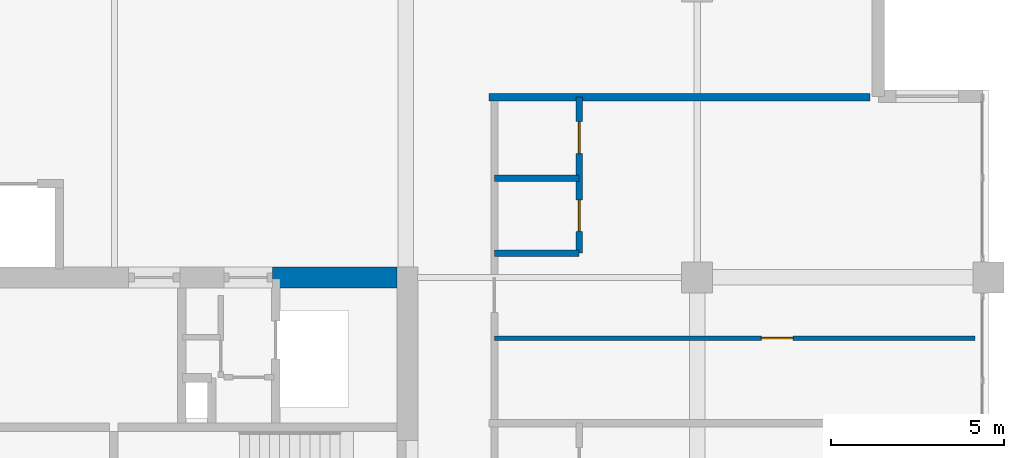
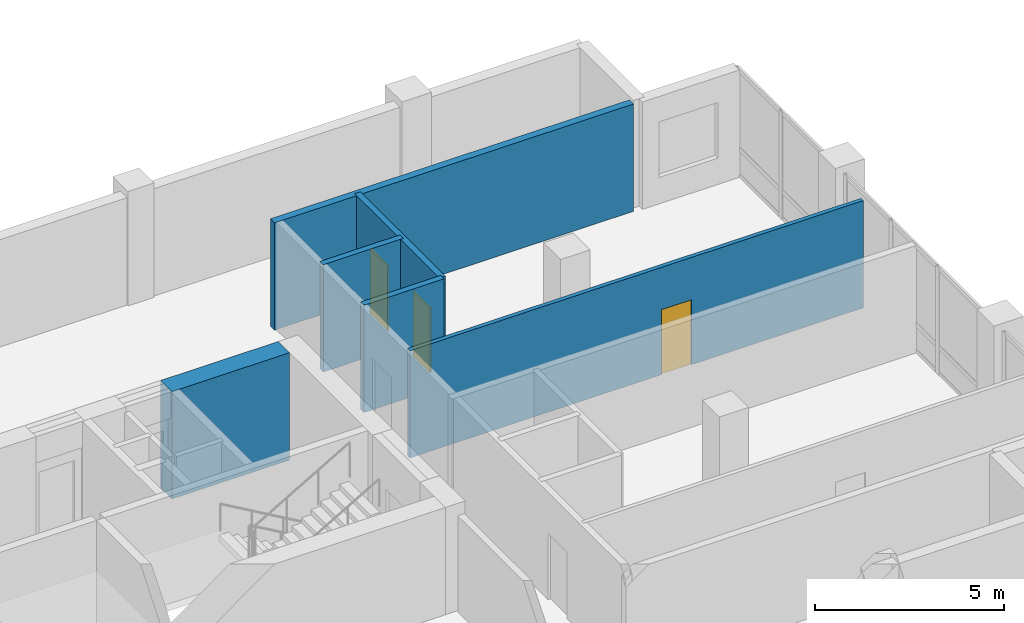
# One storey, part 8 of 16: 6 walls, 3 doors, 3 openings.
"""IFC4 building model written with IfcOpenShell, lengths in metres."""

from ifc_helpers import new_model, si_unit, direction, frame, frame_2d, origin, place, context, subcontext, project, spatial, rectangle, extrude, material, layer, layer_set, type_object, element, fill, save


model = new_model("IFC4")

# Units and contexts
model_context = context("Model", 3, precision=1e-05, world=origin(), true_north=direction((0.0, 1.0)))
body_context = subcontext(model_context, "Body", "Model", "MODEL_VIEW")
ifc_project = project(units=[si_unit("LENGTHUNIT", "METRE"), si_unit("AREAUNIT", "SQUARE_METRE"), si_unit("VOLUMEUNIT", "CUBIC_METRE"), si_unit("PLANEANGLEUNIT", "RADIAN"), si_unit("MASSUNIT", "GRAM", prefix="KILO")], contexts=[model_context])

# Site, building, storey
site_placement = place(None, origin())
site = spatial("IfcSite", under=ifc_project, at=site_placement, CompositionType="ELEMENT")
building_placement = place(site_placement, origin())
building = spatial("IfcBuilding", under=site, at=building_placement, Name="Koriwani Terraces Tower", CompositionType="ELEMENT")
storey_placement = place(building_placement, frame((0.0, 0.0, 274.89990234375)))
storey = spatial("IfcBuildingStorey", under=building, at=storey_placement, Name="L68", CompositionType="ELEMENT", Elevation=274.89990234375)

# Walls
ifc_material_1 = material(Name="Concrete C60/75", Category="concrete")
ifc_layer_1 = layer(ifc_material_1, 0.60009765625, Name="Concrete C60/75")
ifc_layer_set_1 = layer_set([ifc_layer_1], Name="Concrete C60/75")
wall_type_1 = type_object("IfcWallType", Name="WALL_CORE_RC_600", PredefinedType="SHEAR", material=ifc_layer_set_1)
wall_1_placement = place(storey_placement, frame((54.949951171875, 25.199951171875, 0.0), z_axis=(0.0, 0.0, 1.0), x_axis=(1.0, 0.0, 0.0)))
element("IfcWall", 1, at=wall_1_placement, inside=storey, type_object=wall_type_1, Name="L68 East Split Core Shear Wall N3", PredefinedType="SHEAR", context=body_context, shape_type="SweptSolid", body=[
    extrude(rectangle(XDim=3.60009765625, YDim=0.60009765625, at=frame_2d((1.800048828125, 0.0))), origin(), (0.0, 0.0, 1.0), 3.47021484375),
])
ifc_material_2 = material(Name="Autoclaved Cellular Concrete Blockwork", Category="masonry")
ifc_layer_2 = layer(ifc_material_2, 0.219970703125, Name="Autoclaved Cellular Concrete Blockwork")
ifc_layer_set_2 = layer_set([ifc_layer_2], Name="Autoclaved Cellular Concrete Blockwork")
wall_type_2 = type_object("IfcWallType", Name="WALL_DEMISING_220", PredefinedType="PARTITIONING", material=ifc_layer_set_2)
wall_2_placement = place(storey_placement, frame((61.199951171875, 30.39990234375, 0.0), z_axis=(0.0, 0.0, 1.0), x_axis=(1.0, 0.0, 0.0)))
element("IfcWall", 2, at=wall_2_placement, inside=storey, type_object=wall_type_2, Name="L68 Interior Wall WRDEME-L68-ETE", PredefinedType="PARTITIONING", context=body_context, shape_type="SweptSolid", body=[
    extrude(rectangle(XDim=10.97998046875, YDim=0.219970703125, at=frame_2d((5.489990234375, 0.0))), origin(), (0.0, 0.0, 1.0), 3.47021484375),
])

# Wall, opening, door
ifc_material_3 = material(Name="Fire-Rated Acoustic Gypsum Partition", Category="masonry")
ifc_layer_3 = layer(ifc_material_3, 0.125, Name="Fire-Rated Acoustic Gypsum Partition")
ifc_layer_set_3 = layer_set([ifc_layer_3], Name="Fire-Rated Acoustic Gypsum Partition")
wall_type_3 = type_object("IfcWallType", Name="WALL_INT_125", PredefinedType="PARTITIONING", material=ifc_layer_set_3)
wall_3_placement = place(storey_placement, frame((61.35009765625, 23.449951171875, 0.0), z_axis=(0.0, 0.0, 1.0), x_axis=(1.0, 0.0, 0.0)))
wall_3 = element("IfcWall", 3, at=wall_3_placement, inside=storey, type_object=wall_type_3, Name="L68 Interior Wall WRBED1-L68-ETE-1", PredefinedType="PARTITIONING", context=body_context, shape_type="SweptSolid", body=[
    extrude(rectangle(XDim=13.869873046875, YDim=0.125, at=frame_2d((6.93505859375, 0.0))), origin(), (0.0, 0.0, 1.0), 3.47021484375),
])
opening_1_placement = place(wall_3_placement, frame((7.699951171875, 0.0, 0.0)))
opening_1 = element("IfcOpeningElement", 4, at=opening_1_placement, cuts=wall_3, Name="Opening D-06", PredefinedType="OPENING", context=body_context, shape_type="SweptSolid", body=[
    extrude(rectangle(XDim=0.919921875, YDim=2.10009765625, at=frame_2d((0.4599609375, 1.050048828125))), frame((0.0, 0.072509765625, 0.0), z_axis=(0.0, -1.0, 0.0), x_axis=(1.0, 0.0, 0.0)), (0.0, 0.0, 1.0), 0.14501953125),
])
ifc_material_4 = material(Name="Architectural Oak Fire Door", Category="wood")
door_type_1 = type_object("IfcDoorType", Name="DOOR_ROOM_INT_920X2100", OperationType="NOTDEFINED", PredefinedType="DOOR", material=ifc_material_4)
door_1_placement = place(opening_1_placement, origin())
door_1 = element("IfcDoor", 5, at=door_1_placement, inside=storey, type_object=door_type_1, Name="Apartment 68ETE2 Master Bedroom Door", OperationType="SINGLE_SWING_LEFT", OverallHeight=2.10009765625, OverallWidth=0.919921875, PredefinedType="DOOR", context=body_context, shape_type="SweptSolid", body=[
    extrude(rectangle(XDim=0.919921875, YDim=2.10009765625, at=frame_2d((0.4599609375, 1.050048828125))), frame((0.0, 0.02490234375, 0.0), z_axis=(0.0, -1.0, 0.0), x_axis=(1.0, 0.0, 0.0)), (0.0, 0.0, 1.0), 0.050048828125),
])
fill(opening_1, door_1)

# Wall, openings, doors
ifc_layer_4 = layer(ifc_material_3, 0.179931640625, Name="Fire-Rated Acoustic Gypsum Partition")
ifc_layer_set_4 = layer_set([ifc_layer_4], Name="Fire-Rated Acoustic Gypsum Partition")
wall_type_4 = type_object("IfcWallType", Name="WALL_PLUMBING_180", PredefinedType="PLUMBINGWALL", material=ifc_layer_set_4)
wall_4_placement = place(storey_placement, frame((63.800048828125, 25.89990234375, 0.0), z_axis=(0.0, 0.0, 1.0), x_axis=(0.0, 1.0, 0.0)))
wall_4 = element("IfcWall", 6, at=wall_4_placement, inside=storey, type_object=wall_type_4, Name="L68 Interior Wall WRSVC-L68-ETE-1", PredefinedType="PLUMBINGWALL", context=body_context, shape_type="SweptSolid", body=[
    extrude(rectangle(XDim=4.5, YDim=0.179931640625, at=frame_2d((2.25, 0.0))), origin(), (0.0, 0.0, 1.0), 3.47021484375),
])
opening_2_placement = place(wall_4_placement, frame((0.6298828125, 0.0, 0.0)))
opening_2 = element("IfcOpeningElement", 7, at=opening_2_placement, cuts=wall_4, Name="Opening D-07", PredefinedType="OPENING", context=body_context, shape_type="SweptSolid", body=[
    extrude(rectangle(XDim=0.89990234375, YDim=2.10009765625, at=frame_2d((0.449951171875, 1.050048828125))), frame((0.0, 0.10009765625, 0.0), z_axis=(0.0, -1.0, 0.0), x_axis=(1.0, 0.0, 0.0)), (0.0, 0.0, 1.0), 0.199951171875),
])
opening_3_placement = place(wall_4_placement, frame((2.8701171875, 0.0, 0.0)))
opening_3 = element("IfcOpeningElement", 8, at=opening_3_placement, cuts=wall_4, Name="Opening D-06", PredefinedType="OPENING", context=body_context, shape_type="SweptSolid", body=[
    extrude(rectangle(XDim=0.919921875, YDim=2.10009765625, at=frame_2d((0.4599609375, 1.050048828125))), frame((0.0, 0.10009765625, 0.0), z_axis=(0.0, -1.0, 0.0), x_axis=(1.0, 0.0, 0.0)), (0.0, 0.0, 1.0), 0.199951171875),
])
door_type_2 = type_object("IfcDoorType", Name="DOOR_BATH_INT_900X2100", OperationType="NOTDEFINED", PredefinedType="DOOR", material=ifc_material_4)
door_2_placement = place(opening_2_placement, origin())
door_2 = element("IfcDoor", 9, at=door_2_placement, inside=storey, type_object=door_type_2, Name="Apartment 68ETE2 Bathroom Door", OperationType="SINGLE_SWING_LEFT", OverallHeight=2.10009765625, OverallWidth=0.89990234375, PredefinedType="DOOR", context=body_context, shape_type="SweptSolid", body=[
    extrude(rectangle(XDim=0.89990234375, YDim=2.10009765625, at=frame_2d((0.449951171875, 1.050048828125))), frame((0.0, 0.02490234375, 0.0), z_axis=(0.0, -1.0, 0.0), x_axis=(1.0, 0.0, 0.0)), (0.0, 0.0, 1.0), 0.050048828125),
])
fill(opening_2, door_2)
door_3_placement = place(opening_3_placement, origin())
door_3 = element("IfcDoor", 10, at=door_3_placement, inside=storey, type_object=door_type_1, Name="Apartment 68ETE2 Kitchen Door", OperationType="SINGLE_SWING_RIGHT", OverallHeight=2.10009765625, OverallWidth=0.919921875, PredefinedType="DOOR", context=body_context, shape_type="SweptSolid", body=[
    extrude(rectangle(XDim=0.919921875, YDim=2.10009765625, at=frame_2d((0.4599609375, 1.050048828125))), frame((0.0, 0.02490234375, 0.0), z_axis=(0.0, -1.0, 0.0), x_axis=(1.0, 0.0, 0.0)), (0.0, 0.0, 1.0), 0.050048828125),
])
fill(opening_3, door_3)

# Walls
for number, where, z_axis, x_axis, name in (
    (11, (61.35009765625, 25.89990234375, 0.0), (0.0, 0.0, 1.0), (1.0, 0.0, 0.0), "L68 Interior Wall WRSVCS-L68-ETE-1"),
    (12, (61.35009765625, 28.06005859375, 0.0), (0.0, 0.0, 1.0), (1.0, 0.0, 0.0), "L68 Interior Wall WRSVCM-L68-ETE-1"),
):
    element("IfcWall", number, at=place(storey_placement, frame(where, z_axis=z_axis, x_axis=x_axis)), inside=storey, type_object=wall_type_4, Name=name, PredefinedType="PLUMBINGWALL", context=body_context, shape_type="SweptSolid", body=[
        extrude(rectangle(XDim=2.449951171875, YDim=0.179931640625, at=frame_2d((1.22509765625, 0.0))), origin(), (0.0, 0.0, 1.0), 3.47021484375),
    ])

save(model, "model.ifc")
